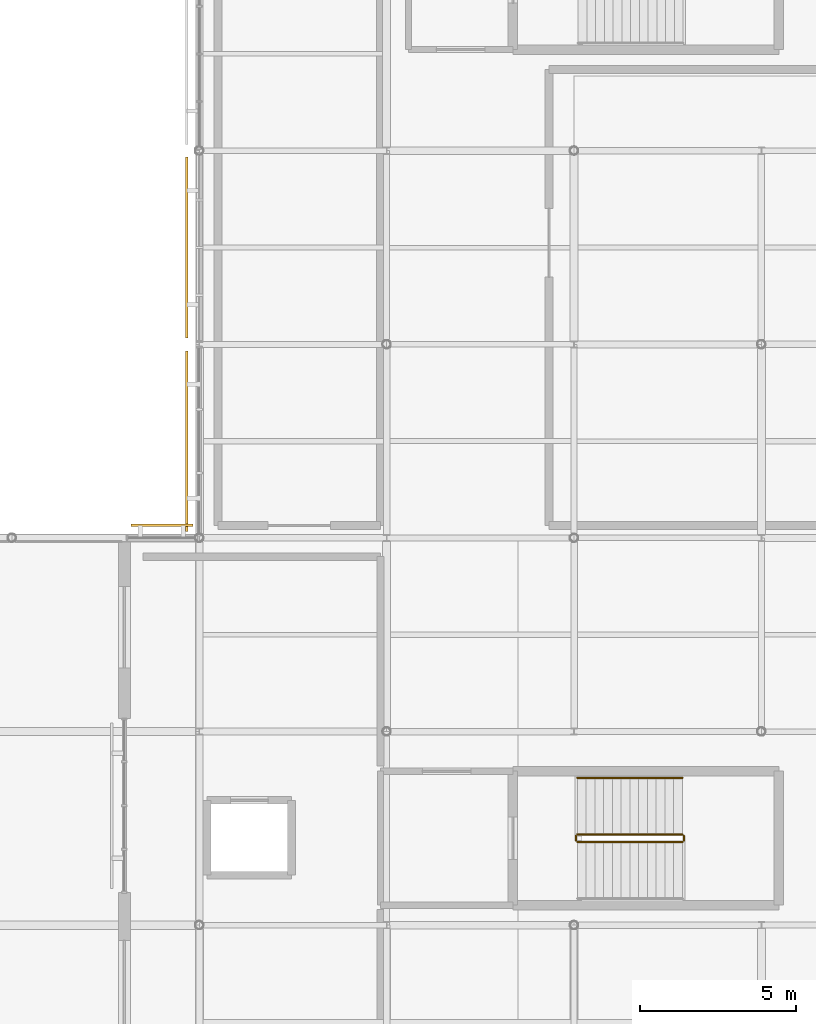
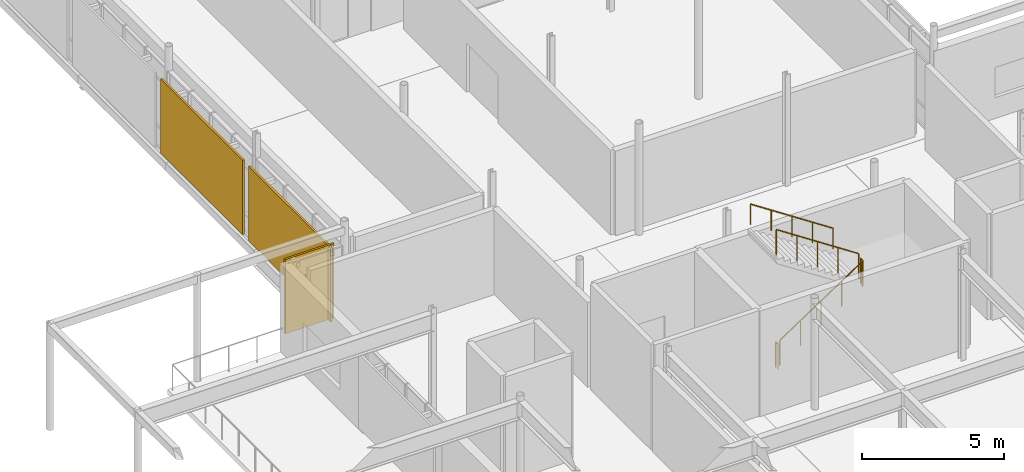
# One storey, part 46 of 48: 5 railings, 3 shading devices.
"""IFC4 building model written with IfcOpenShell, lengths in metres."""

from ifc_helpers import new_model, si_unit, direction, frame, origin, origin_2d, place, context, subcontext, project, spatial, rectangle, circle, extrude, material, layer, layer_set, type_object, element, save


model = new_model("IFC4")

# Units and contexts
model_context = context("Model", 3, precision=1e-05, world=origin(), true_north=direction((0.0, 1.0)))
body_context = subcontext(model_context, "Body", "Model", "MODEL_VIEW")
ifc_project = project(units=[si_unit("LENGTHUNIT", "METRE"), si_unit("AREAUNIT", "SQUARE_METRE"), si_unit("VOLUMEUNIT", "CUBIC_METRE"), si_unit("PLANEANGLEUNIT", "RADIAN"), si_unit("MASSUNIT", "GRAM", prefix="KILO")], contexts=[model_context])

# Site, building, storey
site_placement = place(None, origin())
site = spatial("IfcSite", under=ifc_project, at=site_placement, CompositionType="ELEMENT")
building_placement = place(site_placement, origin())
building = spatial("IfcBuilding", under=site, at=building_placement, Name="Mirzam Square Science Centre", CompositionType="ELEMENT")
storey_placement = place(building_placement, frame((0.0, 0.0, 20.39990234375)))
storey = spatial("IfcBuildingStorey", under=building, at=storey_placement, Name="L04", CompositionType="ELEMENT", Elevation=20.39990234375)

# Railings
ifc_material_1 = material(Name="Bronze-Anodised Architectural Balustrade", Category="aluminium")
railing_type_1 = type_object("IfcRailingType", Name="RL-INT-GUARD-1100", PredefinedType="GUARDRAIL", material=ifc_material_1)
railing_1_placement = place(storey_placement, frame((126.110107421875, 77.06005859375, 0.184814453125)))
element("IfcRailing", 1, at=railing_1_placement, inside=storey, type_object=railing_type_1, Name="L04 ST-04 stair guard 1", PredefinedType="GUARDRAIL", context=body_context, shape_type="SweptSolid", body=[
    extrude(circle(Radius=0.02392578125, at=origin_2d()), frame((0.0, 0.0, 1.076171875), z_axis=(0.834858096282, 0.0, 0.550465220583), x_axis=(0.0, 1.0, 0.0)), (0.0, 0.0, 1.0), 4.0244140625),
    extrude(circle(Radius=0.02099609375, at=origin_2d()), origin(), (0.0, 0.0, 1.0), 1.052001953125),
    extrude(circle(Radius=0.02099609375, at=origin_2d()), frame((0.83984375, 0.0, 0.5537109375)), (0.0, 0.0, 1.0), 1.052001953125),
    extrude(circle(Radius=0.02099609375, at=origin_2d()), frame((1.679931640625, 0.0, 1.107666015625)), (0.0, 0.0, 1.0), 1.052001953125),
    extrude(circle(Radius=0.02099609375, at=origin_2d()), frame((2.52001953125, 0.0, 1.66162109375)), (0.0, 0.0, 1.0), 1.052001953125),
    extrude(circle(Radius=0.02099609375, at=origin_2d()), frame((3.35986328125, 0.0, 2.21533203125)), (0.0, 0.0, 1.0), 1.052001953125),
])
railing_2_placement = place(storey_placement, frame((129.52001953125, 77.110107421875, 2.400146484375)))
element("IfcRailing", 2, at=railing_2_placement, inside=storey, type_object=railing_type_1, Name="L04 ST-04 stair guard 2", PredefinedType="GUARDRAIL", context=body_context, shape_type="SweptSolid", body=[
    extrude(circle(Radius=0.02392578125, at=origin_2d()), frame((0.0, 0.0, 1.076171875), z_axis=(0.0, 1.0, 0.0), x_axis=(-1.0, 0.0, 0.0)), (0.0, 0.0, 1.0), 0.14990234375),
    extrude(circle(Radius=0.02099609375, at=origin_2d()), origin(), (0.0, 0.0, 1.0), 1.052001953125),
    extrude(circle(Radius=0.02099609375, at=origin_2d()), frame((0.0, 0.14990234375, 0.0)), (0.0, 0.0, 1.0), 1.052001953125),
])
railing_3_placement = place(storey_placement, frame((129.469970703125, 77.31005859375, 2.584716796875)))
element("IfcRailing", 3, at=railing_3_placement, inside=storey, type_object=railing_type_1, Name="L04 ST-04 stair guard 3", PredefinedType="GUARDRAIL", context=body_context, shape_type="SweptSolid", body=[
    extrude(circle(Radius=0.02392578125, at=origin_2d()), frame((0.0, 0.0, 1.076171875), z_axis=(-0.834858096282, 0.0, 0.550465220583), x_axis=(0.0, -1.0, 0.0)), (0.0, 0.0, 1.0), 4.0244140625),
    extrude(circle(Radius=0.02099609375, at=origin_2d()), origin(), (0.0, 0.0, 1.0), 1.052001953125),
    extrude(circle(Radius=0.02099609375, at=origin_2d()), frame((-0.83984375, 0.0, 0.5537109375)), (0.0, 0.0, 1.0), 1.052001953125),
    extrude(circle(Radius=0.02099609375, at=origin_2d()), frame((-1.679931640625, 0.0, 1.107666015625)), (0.0, 0.0, 1.0), 1.052001953125),
    extrude(circle(Radius=0.02099609375, at=origin_2d()), frame((-2.52001953125, 0.0, 1.66162109375)), (0.0, 0.0, 1.0), 1.052001953125),
    extrude(circle(Radius=0.02099609375, at=origin_2d()), frame((-3.35986328125, 0.0, 2.21533203125)), (0.0, 0.0, 1.0), 1.052001953125),
])
railing_4_placement = place(storey_placement, frame((126.06005859375, 77.110107421875, 0.0)))
element("IfcRailing", 4, at=railing_4_placement, inside=storey, type_object=railing_type_1, Name="L04 ST-04 stair guard 4", PredefinedType="GUARDRAIL", context=body_context, shape_type="SweptSolid", body=[
    extrude(circle(Radius=0.02392578125, at=origin_2d()), frame((0.0, 0.0, 1.076171875), z_axis=(0.0, 1.0, 0.0), x_axis=(-1.0, 0.0, 0.0)), (0.0, 0.0, 1.0), 0.14990234375),
    extrude(circle(Radius=0.02099609375, at=origin_2d()), origin(), (0.0, 0.0, 1.0), 1.052001953125),
    extrude(circle(Radius=0.02099609375, at=origin_2d()), frame((0.0, 0.14990234375, 0.0)), (0.0, 0.0, 1.0), 1.052001953125),
])
ifc_material_2 = material(Name="Brushed Bronze Tubular Handrail", Category="aluminium")
railing_type_2 = type_object("IfcRailingType", Name="RL-STAIR-HANDRAIL-900", PredefinedType="HANDRAIL", material=ifc_material_2)
railing_5_placement = place(storey_placement, frame((129.469970703125, 79.1201171875, 2.78125)))
element("IfcRailing", 5, at=railing_5_placement, inside=storey, type_object=railing_type_2, Name="L04 ST-04 stair handrail 2", PredefinedType="HANDRAIL", context=body_context, shape_type="SweptSolid", body=[
    extrude(circle(Radius=0.02392578125, at=origin_2d()), frame((0.0, 0.0, 0.8759765625), z_axis=(-0.83483021737, 0.0, 0.550507500554), x_axis=(0.0, -1.0, 0.0)), (0.0, 0.0, 1.0), 4.024658203125),
    extrude(circle(Radius=0.02099609375, at=origin_2d()), origin(), (0.0, 0.0, 1.0), 0.851806640625),
    extrude(circle(Radius=0.02099609375, at=origin_2d()), frame((-0.83984375, 0.0, 0.553955078125)), (0.0, 0.0, 1.0), 0.851806640625),
    extrude(circle(Radius=0.02099609375, at=origin_2d()), frame((-1.679931640625, 0.0, 1.10791015625)), (0.0, 0.0, 1.0), 0.851806640625),
    extrude(circle(Radius=0.02099609375, at=origin_2d()), frame((-2.52001953125, 0.0, 1.66162109375)), (0.0, 0.0, 1.0), 0.851806640625),
    extrude(circle(Radius=0.02099609375, at=origin_2d()), frame((-3.35986328125, 0.0, 2.215576171875)), (0.0, 0.0, 1.0), 0.851806640625),
])

# Shading devices
ifc_material_3 = material(Name="Perforated Bronze-Anodised Aluminium Brise-Soleil", Category="aluminium")
ifc_layer = layer(ifc_material_3, 0.080078125)
ifc_layer_set = layer_set([ifc_layer], Name="SHD-BRISE-BRONZE")
shading_device_type = type_object("IfcShadingDeviceType", Name="SHD-BRISE-BRONZE", PredefinedType="JALOUSIE", material=ifc_layer_set)
shading_device_placement = place(storey_placement, frame((112.800048828125, 87.2099609375, 0.41015625), z_axis=(0.0, 0.0, 1.0), x_axis=(-1.0, 0.0, 0.0)))
element("IfcShadingDevice", 6, at=shading_device_placement, inside=storey, type_object=shading_device_type, Name="L04 bronze brise-soleil screen 143", PredefinedType="JALOUSIE", context=body_context, shape_type="SweptSolid", body=[
    extrude(rectangle(XDim=1.989990234375, YDim=0.080078125, at=origin_2d()), origin(), (0.0, 0.0, 1.0), 3.199951171875),
])
for number, where, z_axis, x_axis, name in (
    (7, (113.590087890625, 89.89990234375, 0.41015625), (0.0, 0.0, 1.0), (0.0, -1.0, 0.0), "L04 bronze brise-soleil screen 148"),
    (8, (113.590087890625, 96.10009765625, 0.41015625), (0.0, 0.0, 1.0), (0.0, -1.0, 0.0), "L04 bronze brise-soleil screen 150"),
):
    element("IfcShadingDevice", number, at=place(storey_placement, frame(where, z_axis=z_axis, x_axis=x_axis)), inside=storey, type_object=shading_device_type, Name=name, PredefinedType="JALOUSIE", context=body_context, shape_type="SweptSolid", body=[
        extrude(rectangle(XDim=5.7900390625, YDim=0.080078125, at=origin_2d()), origin(), (0.0, 0.0, 1.0), 3.199951171875),
    ])

save(model, "model.ifc")
